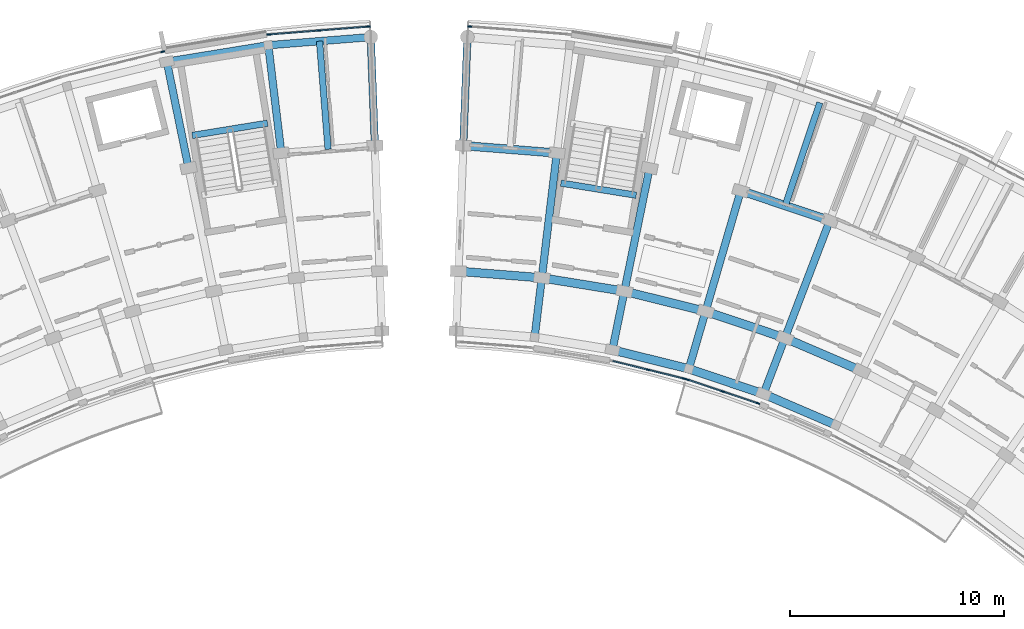
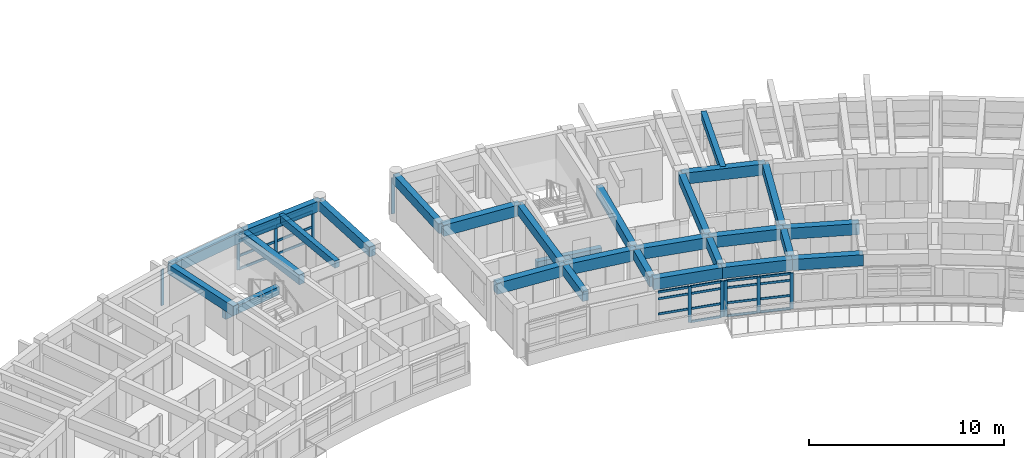
# One storey, part 7 of 54: 33 members, 28 beams, 5 elements without a shape of their own.
"""IFC4 building model written with IfcOpenShell, lengths in metres."""

from ifc_helpers import new_model, si_unit, direction, frame, origin, origin_2d, place, context, subcontext, project, spatial, rectangle, extrude, material, material_profile, profile_set, type_object, element, aggregate, save


model = new_model("IFC4")

# Units and contexts
model_context = context("Model", 3, precision=1e-05, world=origin(), true_north=direction((0.0, 1.0)))
body_context = subcontext(model_context, "Body", "Model", "MODEL_VIEW")
ifc_project = project(units=[si_unit("LENGTHUNIT", "METRE"), si_unit("AREAUNIT", "SQUARE_METRE"), si_unit("VOLUMEUNIT", "CUBIC_METRE"), si_unit("PLANEANGLEUNIT", "RADIAN"), si_unit("MASSUNIT", "GRAM", prefix="KILO")], contexts=[model_context])

# Site, building, storey
site_placement = place(None, origin())
site = spatial("IfcSite", under=ifc_project, at=site_placement, CompositionType="ELEMENT")
building_placement = place(site_placement, origin())
building = spatial("IfcBuilding", under=site, at=building_placement, Name="Zimvara Arc Housing Community", CompositionType="ELEMENT")
storey_placement = place(building_placement, frame((0.0, 0.0, 23.60009765625)))
storey = spatial("IfcBuildingStorey", under=building, at=storey_placement, Name="L07", CompositionType="ELEMENT", Elevation=23.60009765625)

# Beams
ifc_material_1 = material(Name="Concrete C40/50", Category="concrete")
ifc_material_profile_1 = material_profile(ifc_material_1, rectangle(XDim=0.300048828125, YDim=0.449951171875, at=origin_2d()), Name="RC 300x450")
ifc_profile_set_1 = profile_set([ifc_material_profile_1], Name="Concrete C40/50")
beam_type_1 = type_object("IfcBeamType", Name="BM-RC-300x450", PredefinedType="JOIST", material=ifc_profile_set_1)
for number, where, z_axis, x_axis, name in (
    (1, (40.7451171875, 98.08642578125, 2.635009765625), (-0.079171686291, 0.99686099537, 0.0), (-0.99686099537, -0.079171686291, 0.0), "bm:blkA:L07:joist:b9"),
    (2, (62.1279296875, 95.453369140625, 2.635009765625), (0.318607669836, 0.947886677152, 0.0), (-0.947886677152, 0.318607669836, 0.0), "bm:blkB:L07:joist:b3"),
):
    element("IfcBeam", number, at=place(storey_placement, frame(where, z_axis=z_axis, x_axis=x_axis)), inside=storey, type_object=beam_type_1, Name=name, PredefinedType="JOIST", context=body_context, shape_type="SweptSolid", body=[
        extrude(rectangle(XDim=0.300048828125, YDim=0.449951171875, at=origin_2d()), origin(), (0.0, 0.0, 1.0), 5.07568359375),
    ])
ifc_material_2 = material(Name="Concrete C40/50", Category="concrete")
ifc_material_profile_2 = material_profile(ifc_material_2, rectangle(XDim=0.300048828125, YDim=0.5, at=origin_2d()), Name="RC 300x500")
ifc_profile_set_2 = profile_set([ifc_material_profile_2], Name="Concrete C40/50")
beam_type_2 = type_object("IfcBeamType", Name="BM-RC-300x500", PredefinedType="BEAM", material=ifc_profile_set_2)
for number, where, z_axis, x_axis, name in (
    (3, (37.911865234375, 99.307373046875, 1.2998046875), (-0.987080057935, -0.160227835371, 0.0), (0.160227835371, -0.987080057935, 0.0), "bm:stair_trim:ST-A2:L07:mid"),
    (4, (55.15771484375, 95.93701171875, -0.25), (-0.987080057935, 0.160227835371, 0.0), (-0.160227835371, -0.987080057935, 0.0), "bm:stair_trim:ST-B1:L07:near"),
):
    element("IfcBeam", number, at=place(storey_placement, frame(where, z_axis=z_axis, x_axis=x_axis)), inside=storey, type_object=beam_type_2, Name=name, PredefinedType="BEAM", context=body_context, shape_type="SweptSolid", body=[
        extrude(rectangle(XDim=0.300048828125, YDim=0.5, at=origin_2d()), origin(), (0.0, 0.0, 1.0), 3.570068359375),
    ])
ifc_material_3 = material(Name="Concrete C40/50", Category="concrete")
ifc_material_profile_3 = material_profile(ifc_material_3, rectangle(XDim=0.35009765625, YDim=0.60009765625, at=origin_2d()), Name="RC 350x600")
ifc_profile_set_3 = profile_set([ifc_material_profile_3], Name="Concrete C40/50")
beam_type_3 = type_object("IfcBeamType", Name="BM-RC-350x600", PredefinedType="BEAM", material=ifc_profile_set_3)
beam_1_placement = place(storey_placement, frame((34.21875, 97.208740234375, 2.559814453125), z_axis=(-0.200411962389, 0.97971171542, 0.0), x_axis=(-0.97971171542, -0.200411962389, 0.0)))
element("IfcBeam", 5, at=beam_1_placement, inside=storey, type_object=beam_type_3, Name="bm:blkA:L07:rad:b8:r23", PredefinedType="BEAM", context=body_context, shape_type="SweptSolid", body=[
    extrude(rectangle(XDim=0.35009765625, YDim=0.60009765625, at=origin_2d()), origin(), (0.0, 0.0, 1.0), 5.079833984375),
])
for number, where, z_axis, x_axis, name in (
    (6, (38.55517578125, 97.91259765625, 2.559814453125), (-0.119762990499, 0.99280251113, 0.0), (-0.99280251113, -0.119762990499, 0.0), "bm:blkA:L07:rad:b9:r23"),
    (7, (42.934814453125, 98.26025390625, 2.559814453125), (-0.038398054907, 0.999262522753, 0.0), (-0.999262522753, -0.038398054907, 0.0), "bm:blkA:L07:rad:b10:r23"),
    (8, (47.065185546875, 98.26025390625, 2.559814453125), (0.038398054907, 0.999262522753, 0.0), (-0.999262522753, 0.038398054907, 0.0), "bm:blkB:L07:rad:b0:r23"),
):
    element("IfcBeam", number, at=place(storey_placement, frame(where, z_axis=z_axis, x_axis=x_axis)), inside=storey, type_object=beam_type_3, Name=name, PredefinedType="BEAM", context=body_context, shape_type="SweptSolid", body=[
        extrude(rectangle(XDim=0.35009765625, YDim=0.60009765625, at=origin_2d()), origin(), (0.0, 0.0, 1.0), 5.080078125),
    ])
beam_2_placement = place(storey_placement, frame((50.405029296875, 89.295166015625, 2.559814453125), z_axis=(0.119719398078, 0.992807768767, 0.0), x_axis=(-0.992807768767, 0.119719398078, 0.0)))
element("IfcBeam", 9, at=beam_2_placement, inside=storey, type_object=beam_type_3, Name="bm:blkB:L07:rad:b1:r01", PredefinedType="BEAM", context=body_context, shape_type="SweptSolid", body=[
    extrude(rectangle(XDim=0.35009765625, YDim=0.60009765625, at=origin_2d()), origin(), (0.0, 0.0, 1.0), 2.7998046875),
])
beam_3_placement = place(storey_placement, frame((50.740234375, 92.074951171875, 2.559814453125), z_axis=(0.119827921695, 0.992794676246, 0.0), x_axis=(-0.992794676246, 0.119827921695, 0.0)))
element("IfcBeam", 10, at=beam_3_placement, inside=storey, type_object=beam_type_3, Name="bm:blkB:L07:rad:b1:r12", PredefinedType="BEAM", context=body_context, shape_type="SweptSolid", body=[
    extrude(rectangle(XDim=0.35009765625, YDim=0.60009765625, at=origin_2d()), origin(), (0.0, 0.0, 1.0), 5.880126953125),
])
beam_4_placement = place(storey_placement, frame((54.041748046875, 88.704833984375, 2.559814453125), z_axis=(0.20037341071, 0.979719600845, 0.0), x_axis=(-0.979719600845, 0.20037341071, 0.0)))
element("IfcBeam", 11, at=beam_4_placement, inside=storey, type_object=beam_type_3, Name="bm:blkB:L07:rad:b2:r01", PredefinedType="BEAM", context=body_context, shape_type="SweptSolid", body=[
    extrude(rectangle(XDim=0.35009765625, YDim=0.60009765625, at=origin_2d()), origin(), (0.0, 0.0, 1.0), 2.800048828125),
])
beam_5_placement = place(storey_placement, frame((54.602783203125, 91.447998046875, 2.559814453125), z_axis=(0.200417973989, 0.979710485655, 0.0), x_axis=(-0.979710485655, 0.200417973989, 0.0)))
element("IfcBeam", 12, at=beam_5_placement, inside=storey, type_object=beam_type_3, Name="bm:blkB:L07:rad:b2:r12", PredefinedType="BEAM", context=body_context, shape_type="SweptSolid", body=[
    extrude(rectangle(XDim=0.35009765625, YDim=0.60009765625, at=origin_2d()), origin(), (0.0, 0.0, 1.0), 5.880126953125),
])
beam_6_placement = place(storey_placement, frame((57.618408203125, 87.819580078125, 2.559814453125), z_axis=(0.279635015525, 0.960106378529, 0.0), x_axis=(-0.960106378529, 0.279635015525, 0.0)))
element("IfcBeam", 13, at=beam_6_placement, inside=storey, type_object=beam_type_3, Name="bm:blkB:L07:rad:b3:r01", PredefinedType="BEAM", context=body_context, shape_type="SweptSolid", body=[
    extrude(rectangle(XDim=0.35009765625, YDim=0.60009765625, at=origin_2d()), origin(), (0.0, 0.0, 1.0), 2.800048828125),
])
beam_7_placement = place(storey_placement, frame((58.4013671875, 90.5078125, 2.559814453125), z_axis=(0.27967473749, 0.960094808449, 0.0), x_axis=(-0.960094808449, 0.27967473749, 0.0)))
element("IfcBeam", 14, at=beam_7_placement, inside=storey, type_object=beam_type_3, Name="bm:blkB:L07:rad:b3:r12", PredefinedType="BEAM", context=body_context, shape_type="SweptSolid", body=[
    extrude(rectangle(XDim=0.35009765625, YDim=0.60009765625, at=origin_2d()), origin(), (0.0, 0.0, 1.0), 5.880126953125),
])
beam_8_placement = place(storey_placement, frame((61.11083984375, 86.645751953125, 2.559814453125), z_axis=(0.357079289134, 0.934074076972, 0.0), x_axis=(-0.934074076972, 0.357079289134, 0.0)))
element("IfcBeam", 15, at=beam_8_placement, inside=storey, type_object=beam_type_3, Name="bm:blkB:L07:rad:b4:r01", PredefinedType="BEAM", context=body_context, shape_type="SweptSolid", body=[
    extrude(rectangle(XDim=0.35009765625, YDim=0.60009765625, at=origin_2d()), origin(), (0.0, 0.0, 1.0), 2.7998046875),
])
beam_9_placement = place(storey_placement, frame((62.110595703125, 89.260986328125, 2.559814453125), z_axis=(0.357036247742, 0.934090529766, 0.0), x_axis=(-0.934090529766, 0.357036247742, 0.0)))
element("IfcBeam", 16, at=beam_9_placement, inside=storey, type_object=beam_type_3, Name="bm:blkB:L07:rad:b4:r12", PredefinedType="BEAM", context=body_context, shape_type="SweptSolid", body=[
    extrude(rectangle(XDim=0.35009765625, YDim=0.60009765625, at=origin_2d()), origin(), (0.0, 0.0, 1.0), 5.8798828125),
])
ifc_material_4 = material(Name="Concrete C40/50", Category="concrete")
ifc_material_profile_4 = material_profile(ifc_material_4, rectangle(XDim=0.35009765625, YDim=0.64990234375, at=origin_2d()), Name="RC 350x650")
ifc_profile_set_4 = profile_set([ifc_material_profile_4], Name="Concrete C40/50")
beam_type_4 = type_object("IfcBeamType", Name="BM-RC-350x650", PredefinedType="BEAM", material=ifc_profile_set_4)
beam_10_placement = place(storey_placement, frame((33.20068359375, 102.185546875, 2.534912109375), z_axis=(0.987076839731, 0.160247659784, 0.0), x_axis=(-0.160247659784, 0.987076839731, 0.0)))
element("IfcBeam", 17, at=beam_10_placement, inside=storey, type_object=beam_type_4, Name="bm:blkA:L07:chord:r3:b8", PredefinedType="BEAM", context=body_context, shape_type="SweptSolid", body=[
    extrude(rectangle(XDim=0.35009765625, YDim=0.64990234375, at=origin_2d()), origin(), (0.0, 0.0, 1.0), 4.808349609375),
])
beam_11_placement = place(storey_placement, frame((37.94677734375, 102.9560546875, 2.534912109375), z_axis=(0.996861768207, 0.0791619548, 0.0), x_axis=(-0.0791619548, 0.996861768207, 0.0)))
element("IfcBeam", 18, at=beam_11_placement, inside=storey, type_object=beam_type_4, Name="bm:blkA:L07:chord:r3:b9", PredefinedType="BEAM", context=body_context, shape_type="SweptSolid", body=[
    extrude(rectangle(XDim=0.35009765625, YDim=0.64990234375, at=origin_2d()), origin(), (0.0, 0.0, 1.0), 4.80810546875),
])
ifc_material_5 = material(Name="Concrete C40/50", Category="concrete")
ifc_material_profile_5 = material_profile(ifc_material_5, rectangle(XDim=0.39990234375, YDim=0.699951171875, at=origin_2d()), Name="RC 400x700")
ifc_profile_set_5 = profile_set([ifc_material_profile_5], Name="Concrete C40/50")
beam_type_5 = type_object("IfcBeamType", Name="BM-RC-400x700", PredefinedType="BEAM", material=ifc_profile_set_5)
beam_12_placement = place(storey_placement, frame((54.041748046875, 88.704833984375, 2.510009765625), z_axis=(0.970708886215, -0.240258731837, 0.0), x_axis=(0.240258731837, 0.970708886215, 0.0)))
element("IfcBeam", 19, at=beam_12_placement, inside=storey, type_object=beam_type_5, Name="bm:blkB:L07:chord:r0:b2", PredefinedType="BEAM", context=body_context, shape_type="SweptSolid", body=[
    extrude(rectangle(XDim=0.39990234375, YDim=0.699951171875, at=origin_2d()), origin(), (0.0, 0.0, 1.0), 3.6845703125),
])
for number, where, z_axis, x_axis, name in (
    (20, (57.618408203125, 87.819580078125, 2.510009765625), (0.94789181932, -0.31859237101, 0.0), (0.31859237101, 0.94789181932, 0.0), "bm:blkB:L07:chord:r0:b3"),
    (21, (61.11083984375, 86.645751953125, 2.510009765625), (0.918705736243, -0.394942742932, 0.0), (0.394942742932, 0.918705736243, 0.0), "bm:blkB:L07:chord:r0:b4"),
):
    element("IfcBeam", number, at=place(storey_placement, frame(where, z_axis=z_axis, x_axis=x_axis)), inside=storey, type_object=beam_type_5, Name=name, PredefinedType="BEAM", context=body_context, shape_type="SweptSolid", body=[
        extrude(rectangle(XDim=0.39990234375, YDim=0.699951171875, at=origin_2d()), origin(), (0.0, 0.0, 1.0), 3.684326171875),
    ])
beam_13_placement = place(storey_placement, frame((46.839599609375, 92.384765625, 2.510009765625), z_axis=(0.99686054795, -0.079177319606, 0.0), x_axis=(0.079177319606, 0.99686054795, 0.0)))
element("IfcBeam", 22, at=beam_13_placement, inside=storey, type_object=beam_type_5, Name="bm:blkB:L07:chord:r1:b0", PredefinedType="BEAM", context=body_context, shape_type="SweptSolid", body=[
    extrude(rectangle(XDim=0.39990234375, YDim=0.699951171875, at=origin_2d()), origin(), (0.0, 0.0, 1.0), 3.912841796875),
])
for number, where, z_axis, x_axis, name in (
    (23, (50.740234375, 92.074951171875, 2.510009765625), (0.987081487371, -0.160219029111, 0.0), (0.160219029111, 0.987081487371, 0.0), "bm:blkB:L07:chord:r1:b1"),
    (24, (54.602783203125, 91.447998046875, 2.510009765625), (0.970708671682, -0.240259598602, 0.0), (0.240259598602, 0.970708671682, 0.0), "bm:blkB:L07:chord:r1:b2"),
    (25, (58.4013671875, 90.5078125, 2.510009765625), (0.947881689069, -0.31862250945, 0.0), (0.31862250945, 0.947881689069, 0.0), "bm:blkB:L07:chord:r1:b3"),
    (26, (62.110595703125, 89.260986328125, 2.510009765625), (0.91873144242, -0.394882940514, 0.0), (0.394882940514, 0.91873144242, 0.0), "bm:blkB:L07:chord:r1:b4"),
):
    element("IfcBeam", number, at=place(storey_placement, frame(where, z_axis=z_axis, x_axis=x_axis)), inside=storey, type_object=beam_type_5, Name=name, PredefinedType="BEAM", context=body_context, shape_type="SweptSolid", body=[
        extrude(rectangle(XDim=0.39990234375, YDim=0.699951171875, at=origin_2d()), origin(), (0.0, 0.0, 1.0), 3.9130859375),
    ])
beam_14_placement = place(storey_placement, frame((47.065185546875, 98.26025390625, 2.510009765625), z_axis=(0.996864209836, -0.079131202119, 0.0), x_axis=(0.079131202119, 0.996864209836, 0.0)))
element("IfcBeam", 27, at=beam_14_placement, inside=storey, type_object=beam_type_5, Name="bm:blkB:L07:chord:r2:b0", PredefinedType="BEAM", context=body_context, shape_type="SweptSolid", body=[
    extrude(rectangle(XDim=0.39990234375, YDim=0.699951171875, at=origin_2d()), origin(), (0.0, 0.0, 1.0), 4.393310546875),
])
beam_15_placement = place(storey_placement, frame((60.0458984375, 96.1533203125, 2.510009765625), z_axis=(0.947868796036, -0.318660862832, 0.0), x_axis=(0.318660862832, 0.947868796036, 0.0)))
element("IfcBeam", 28, at=beam_15_placement, inside=storey, type_object=beam_type_5, Name="bm:blkB:L07:chord:r2:b3", PredefinedType="BEAM", context=body_context, shape_type="SweptSolid", body=[
    extrude(rectangle(XDim=0.39990234375, YDim=0.699951171875, at=origin_2d()), origin(), (0.0, 0.0, 1.0), 4.39306640625),
])

# Curtain wall, members
ifc_material_6 = material(Name="Anodised Aluminium AW-6063", Category="aluminium")
curtain_wall_type_1 = type_object("IfcCurtainWallType", Name="CW-SYS-02", PredefinedType="USERDEFINED", material=ifc_material_6)
curtain_wall_1_placement = place(storey_placement, origin())
curtain_wall_1 = element("IfcCurtainWall", 29, at=curtain_wall_1_placement, inside=storey, type_object=curtain_wall_type_1, Name="cw:blkB:L07:in:b2", ObjectType="CURTAIN WALL", PredefinedType="USERDEFINED")
ifc_material_7 = material(Name="Anodised Aluminium AW-6063", Category="aluminium")
ifc_material_profile_6 = material_profile(ifc_material_7, rectangle(XDim=0.06494140625, YDim=0.179931640625, at=origin_2d()), Name="ALU 65x180")
ifc_profile_set_6 = profile_set([ifc_material_profile_6], Name="Anodised Aluminium AW-6063")
member_type_1 = type_object("IfcMemberType", Name="CWM-65x150", PredefinedType="MULLION", material=ifc_profile_set_6)
member_1_placement = place(storey_placement, frame((55.7099609375, 87.77734375, 0.0), z_axis=(0.0, 0.0, 1.0), x_axis=(0.240227815706, 0.970716537698, 0.0)))
member_1 = element("IfcMember", 30, at=member_1_placement, type_object=member_type_1, Name="CW02 mullion 2", PredefinedType="MULLION", context=body_context, shape_type="SweptSolid", body=[
    extrude(rectangle(XDim=0.06494140625, YDim=0.179931640625, at=origin_2d()), origin(), (0.0, 0.0, 1.0), 2.25),
])
member_2_placement = place(storey_placement, frame((57.388671875, 87.36181640625, 0.0), z_axis=(0.0, 0.0, 1.0), x_axis=(0.240227815706, 0.970716537698, 0.0)))
member_2 = element("IfcMember", 31, at=member_2_placement, type_object=member_type_1, Name="CW02 mullion 3", PredefinedType="MULLION", context=body_context, shape_type="SweptSolid", body=[
    extrude(rectangle(XDim=0.06494140625, YDim=0.179931640625, at=origin_2d()), origin(), (0.0, 0.0, 1.0), 2.25),
])

ifc_material_8 = material(Name="Anodised Aluminium AW-6063", Category="aluminium")
curtain_wall_type_2 = type_object("IfcCurtainWallType", Name="CW-SYS-04", PredefinedType="USERDEFINED", material=ifc_material_8)
curtain_wall_2_placement = place(storey_placement, origin())
curtain_wall_2 = element("IfcCurtainWall", 32, at=curtain_wall_2_placement, inside=storey, type_object=curtain_wall_type_2, Name="cw:blkB:L07:in:b3", ObjectType="CURTAIN WALL", PredefinedType="USERDEFINED")
member_3_placement = place(storey_placement, frame((57.566162109375, 87.31005859375, 0.0), z_axis=(0.0, 0.0, 1.0), x_axis=(0.318630249383, 0.94787908732, 0.0)))
member_3 = element("IfcMember", 33, at=member_3_placement, type_object=member_type_1, Name="CW04 mullion 1", PredefinedType="MULLION", context=body_context, shape_type="SweptSolid", body=[
    extrude(rectangle(XDim=0.06494140625, YDim=0.179931640625, at=origin_2d()), origin(), (0.0, 0.0, 1.0), 2.25),
])
member_4_placement = place(storey_placement, frame((59.205322265625, 86.759033203125, 0.0), z_axis=(0.0, 0.0, 1.0), x_axis=(0.318630249383, 0.94787908732, 0.0)))
member_4 = element("IfcMember", 34, at=member_4_placement, type_object=member_type_1, Name="CW04 mullion 2", PredefinedType="MULLION", context=body_context, shape_type="SweptSolid", body=[
    extrude(rectangle(XDim=0.06494140625, YDim=0.179931640625, at=origin_2d()), origin(), (0.0, 0.0, 1.0), 2.25),
])
member_5_placement = place(storey_placement, frame((60.844482421875, 86.2080078125, 0.0), z_axis=(0.0, 0.0, 1.0), x_axis=(0.318630249383, 0.94787908732, 0.0)))
member_5 = element("IfcMember", 35, at=member_5_placement, type_object=member_type_1, Name="CW04 mullion 3", PredefinedType="MULLION", context=body_context, shape_type="SweptSolid", body=[
    extrude(rectangle(XDim=0.06494140625, YDim=0.179931640625, at=origin_2d()), origin(), (0.0, 0.0, 1.0), 2.25),
])

# Curtain wall, member
ifc_material_9 = material(Name="Anodised Aluminium AW-6063", Category="aluminium")
curtain_wall_type_3 = type_object("IfcCurtainWallType", Name="CW-SYS-01", PredefinedType="USERDEFINED", material=ifc_material_9)
curtain_wall_3_placement = place(storey_placement, origin())
curtain_wall_3 = element("IfcCurtainWall", 36, at=curtain_wall_3_placement, inside=storey, type_object=curtain_wall_type_3, Name="cw:blkA:L07:out:b7", ObjectType="CURTAIN WALL", PredefinedType="USERDEFINED")
ifc_material_10 = material(Name="Anodised Aluminium AW-6063", Category="aluminium")
ifc_material_profile_7 = material_profile(ifc_material_10, rectangle(XDim=0.06494140625, YDim=0.195068359375, at=origin_2d()), Name="ALU 65x195")
ifc_profile_set_7 = profile_set([ifc_material_profile_7], Name="Anodised Aluminium AW-6063")
member_type_2 = type_object("IfcMemberType", Name="CWM-65x180", PredefinedType="MULLION", material=ifc_profile_set_7)
member_6_placement = place(storey_placement, frame((33.0107421875, 102.6533203125, 0.0), z_axis=(0.0, 0.0, 1.0), x_axis=(-0.240229711131, 0.970716068627, 0.0)))
member_6 = element("IfcMember", 37, at=member_6_placement, type_object=member_type_2, Name="CW01 mullion 3", PredefinedType="MULLION", context=body_context, shape_type="SweptSolid", body=[
    extrude(rectangle(XDim=0.06494140625, YDim=0.195068359375, at=origin_2d()), origin(), (0.0, 0.0, 1.0), 2.25),
])
aggregate(curtain_wall_3, [member_6])

# Curtain wall, members
ifc_material_11 = material(Name="Anodised Aluminium AW-6063", Category="aluminium")
curtain_wall_type_4 = type_object("IfcCurtainWallType", Name="CW-SYS-03", PredefinedType="USERDEFINED", material=ifc_material_11)
curtain_wall_4_placement = place(storey_placement, origin())
curtain_wall_4 = element("IfcCurtainWall", 38, at=curtain_wall_4_placement, inside=storey, type_object=curtain_wall_type_4, Name="cw:blkA:L07:out:b9", ObjectType="CURTAIN WALL", PredefinedType="USERDEFINED")
member_7_placement = place(storey_placement, frame((37.97900390625, 103.459716796875, 0.0), z_axis=(0.0, 0.0, 1.0), x_axis=(-0.079153759607, 0.996862418963, 0.0)))
member_7 = element("IfcMember", 39, at=member_7_placement, type_object=member_type_2, Name="CW03 mullion 1", PredefinedType="MULLION", context=body_context, shape_type="SweptSolid", body=[
    extrude(rectangle(XDim=0.06494140625, YDim=0.195068359375, at=origin_2d()), origin(), (0.0, 0.0, 1.0), 2.25),
])
member_8_placement = place(storey_placement, frame((40.3037109375, 103.644287109375, 0.0), z_axis=(0.0, 0.0, 1.0), x_axis=(-0.079153759607, 0.996862418963, 0.0)))
member_8 = element("IfcMember", 40, at=member_8_placement, type_object=member_type_2, Name="CW03 mullion 2", PredefinedType="MULLION", context=body_context, shape_type="SweptSolid", body=[
    extrude(rectangle(XDim=0.06494140625, YDim=0.195068359375, at=origin_2d()), origin(), (0.0, 0.0, 1.0), 2.25),
])
member_9_placement = place(storey_placement, frame((42.62841796875, 103.828857421875, 0.0), z_axis=(0.0, 0.0, 1.0), x_axis=(-0.079153759607, 0.996862418963, 0.0)))
member_9 = element("IfcMember", 41, at=member_9_placement, type_object=member_type_2, Name="CW03 mullion 3", PredefinedType="MULLION", context=body_context, shape_type="SweptSolid", body=[
    extrude(rectangle(XDim=0.06494140625, YDim=0.195068359375, at=origin_2d()), origin(), (0.0, 0.0, 1.0), 2.25),
])

# Curtain wall, member
ifc_material_12 = material(Name="Anodised Aluminium AW-6063", Category="aluminium")
curtain_wall_type_5 = type_object("IfcCurtainWallType", Name="CW-SYS-07", PredefinedType="USERDEFINED", material=ifc_material_12)
curtain_wall_5_placement = place(storey_placement, origin())
curtain_wall_5 = element("IfcCurtainWall", 42, at=curtain_wall_5_placement, inside=storey, type_object=curtain_wall_type_5, Name="cw:blkB:L07:out:b0", ObjectType="CURTAIN WALL", PredefinedType="USERDEFINED")
member_10_placement = place(storey_placement, frame((47.37158203125, 103.828857421875, 0.0), z_axis=(0.0, 0.0, 1.0), x_axis=(0.079153759607, 0.996862418963, 0.0)))
member_10 = element("IfcMember", 43, at=member_10_placement, type_object=member_type_2, Name="CW07 mullion 1", PredefinedType="MULLION", context=body_context, shape_type="SweptSolid", body=[
    extrude(rectangle(XDim=0.06494140625, YDim=0.195068359375, at=origin_2d()), origin(), (0.0, 0.0, 1.0), 2.25),
])
aggregate(curtain_wall_5, [member_10])

# Member
ifc_material_13 = material(Name="Anodised Aluminium AW-6063", Category="aluminium")
ifc_material_profile_8 = material_profile(ifc_material_13, rectangle(XDim=0.06494140625, YDim=0.139892578125, at=origin_2d()), Name="ALU 65x140")
ifc_profile_set_8 = profile_set([ifc_material_profile_8], Name="Anodised Aluminium AW-6063")
member_type_3 = type_object("IfcMemberType", Name="CWT-65x120", PredefinedType="USERDEFINED", material=ifc_profile_set_8)
member_11_placement = place(storey_placement, frame((54.06298828125, 88.184814453125, 0.849853515625), z_axis=(0.970735018799, -0.240153124645, 0.0), x_axis=(0.240153124645, 0.970735018799, 0.0)))
member_11 = element("IfcMember", 44, at=member_11_placement, type_object=member_type_3, Name="CW02 transom 1.2", ObjectType="TRANSOM", PredefinedType="USERDEFINED", context=body_context, shape_type="SweptSolid", body=[
    extrude(rectangle(XDim=0.06494140625, YDim=0.139892578125, at=origin_2d()), origin(), (0.0, 0.0, 1.0), 1.6640625),
])

member_12_placement = place(storey_placement, frame((54.06298828125, 88.184814453125, 1.7998046875), z_axis=(0.970735018799, -0.240153124645, 0.0), x_axis=(0.240153124645, 0.970735018799, 0.0)))
member_12 = element("IfcMember", 45, at=member_12_placement, type_object=member_type_3, Name="CW02 transom 1.3", ObjectType="TRANSOM", PredefinedType="USERDEFINED", context=body_context, shape_type="SweptSolid", body=[
    extrude(rectangle(XDim=0.06494140625, YDim=0.139892578125, at=origin_2d()), origin(), (0.0, 0.0, 1.0), 1.6640625),
])

member_13_placement = place(storey_placement, frame((54.06298828125, 88.184814453125, 2.21728515625), z_axis=(0.970735018799, -0.240153124645, 0.0), x_axis=(0.240153124645, 0.970735018799, 0.0)))
member_13 = element("IfcMember", 46, at=member_13_placement, type_object=member_type_3, Name="CW02 transom 1.4", ObjectType="TRANSOM", PredefinedType="USERDEFINED", context=body_context, shape_type="SweptSolid", body=[
    extrude(rectangle(XDim=0.06494140625, YDim=0.139892578125, at=origin_2d()), origin(), (0.0, 0.0, 1.0), 1.6640625),
])

member_14_placement = place(storey_placement, frame((55.74169921875, 87.76953125, 0.032470703125), z_axis=(0.970700809973, -0.24029135964, 0.0), x_axis=(0.24029135964, 0.970700809973, 0.0)))
member_14 = element("IfcMember", 47, at=member_14_placement, type_object=member_type_3, Name="CW02 transom 2.1", ObjectType="TRANSOM", PredefinedType="USERDEFINED", context=body_context, shape_type="SweptSolid", body=[
    extrude(rectangle(XDim=0.06494140625, YDim=0.139892578125, at=origin_2d()), origin(), (0.0, 0.0, 1.0), 1.664306640625),
])

member_15_placement = place(storey_placement, frame((55.74169921875, 87.76953125, 0.849853515625), z_axis=(0.970700809973, -0.24029135964, 0.0), x_axis=(0.24029135964, 0.970700809973, 0.0)))
member_15 = element("IfcMember", 48, at=member_15_placement, type_object=member_type_3, Name="CW02 transom 2.2", ObjectType="TRANSOM", PredefinedType="USERDEFINED", context=body_context, shape_type="SweptSolid", body=[
    extrude(rectangle(XDim=0.06494140625, YDim=0.139892578125, at=origin_2d()), origin(), (0.0, 0.0, 1.0), 1.664306640625),
])

member_16_placement = place(storey_placement, frame((55.74169921875, 87.76953125, 1.7998046875), z_axis=(0.970700809973, -0.24029135964, 0.0), x_axis=(0.24029135964, 0.970700809973, 0.0)))
member_16 = element("IfcMember", 49, at=member_16_placement, type_object=member_type_3, Name="CW02 transom 2.3", ObjectType="TRANSOM", PredefinedType="USERDEFINED", context=body_context, shape_type="SweptSolid", body=[
    extrude(rectangle(XDim=0.06494140625, YDim=0.139892578125, at=origin_2d()), origin(), (0.0, 0.0, 1.0), 1.664306640625),
])

member_17_placement = place(storey_placement, frame((55.74169921875, 87.76953125, 2.21728515625), z_axis=(0.970700809973, -0.24029135964, 0.0), x_axis=(0.24029135964, 0.970700809973, 0.0)))
member_17 = element("IfcMember", 50, at=member_17_placement, type_object=member_type_3, Name="CW02 transom 2.4", ObjectType="TRANSOM", PredefinedType="USERDEFINED", context=body_context, shape_type="SweptSolid", body=[
    extrude(rectangle(XDim=0.06494140625, YDim=0.139892578125, at=origin_2d()), origin(), (0.0, 0.0, 1.0), 1.664306640625),
])

aggregate(curtain_wall_1, [member_1, member_2, member_11, member_12, member_13, member_14, member_15, member_16, member_17])

member_18_placement = place(storey_placement, frame((57.596923828125, 87.2998046875, 0.032470703125), z_axis=(0.947888214723, -0.318603095385, 0.0), x_axis=(0.318603095385, 0.947888214723, 0.0)))
member_18 = element("IfcMember", 51, at=member_18_placement, type_object=member_type_3, Name="CW04 transom 1.1", ObjectType="TRANSOM", PredefinedType="USERDEFINED", context=body_context, shape_type="SweptSolid", body=[
    extrude(rectangle(XDim=0.06494140625, YDim=0.139892578125, at=origin_2d()), origin(), (0.0, 0.0, 1.0), 1.664306640625),
])

member_19_placement = place(storey_placement, frame((57.596923828125, 87.2998046875, 0.849853515625), z_axis=(0.947888214723, -0.318603095385, 0.0), x_axis=(0.318603095385, 0.947888214723, 0.0)))
member_19 = element("IfcMember", 52, at=member_19_placement, type_object=member_type_3, Name="CW04 transom 1.2", ObjectType="TRANSOM", PredefinedType="USERDEFINED", context=body_context, shape_type="SweptSolid", body=[
    extrude(rectangle(XDim=0.06494140625, YDim=0.139892578125, at=origin_2d()), origin(), (0.0, 0.0, 1.0), 1.664306640625),
])

member_20_placement = place(storey_placement, frame((57.596923828125, 87.2998046875, 1.7998046875), z_axis=(0.947888214723, -0.318603095385, 0.0), x_axis=(0.318603095385, 0.947888214723, 0.0)))
member_20 = element("IfcMember", 53, at=member_20_placement, type_object=member_type_3, Name="CW04 transom 1.3", ObjectType="TRANSOM", PredefinedType="USERDEFINED", context=body_context, shape_type="SweptSolid", body=[
    extrude(rectangle(XDim=0.06494140625, YDim=0.139892578125, at=origin_2d()), origin(), (0.0, 0.0, 1.0), 1.664306640625),
])

member_21_placement = place(storey_placement, frame((57.596923828125, 87.2998046875, 2.21728515625), z_axis=(0.947888214723, -0.318603095385, 0.0), x_axis=(0.318603095385, 0.947888214723, 0.0)))
member_21 = element("IfcMember", 54, at=member_21_placement, type_object=member_type_3, Name="CW04 transom 1.4", ObjectType="TRANSOM", PredefinedType="USERDEFINED", context=body_context, shape_type="SweptSolid", body=[
    extrude(rectangle(XDim=0.06494140625, YDim=0.139892578125, at=origin_2d()), origin(), (0.0, 0.0, 1.0), 1.664306640625),
])

member_22_placement = place(storey_placement, frame((59.236083984375, 86.748779296875, 0.032470703125), z_axis=(0.947888214723, -0.318603095385, 0.0), x_axis=(0.318603095385, 0.947888214723, 0.0)))
member_22 = element("IfcMember", 55, at=member_22_placement, type_object=member_type_3, Name="CW04 transom 2.1", ObjectType="TRANSOM", PredefinedType="USERDEFINED", context=body_context, shape_type="SweptSolid", body=[
    extrude(rectangle(XDim=0.06494140625, YDim=0.139892578125, at=origin_2d()), origin(), (0.0, 0.0, 1.0), 1.664306640625),
])

member_23_placement = place(storey_placement, frame((59.236083984375, 86.748779296875, 0.849853515625), z_axis=(0.947888214723, -0.318603095385, 0.0), x_axis=(0.318603095385, 0.947888214723, 0.0)))
member_23 = element("IfcMember", 56, at=member_23_placement, type_object=member_type_3, Name="CW04 transom 2.2", ObjectType="TRANSOM", PredefinedType="USERDEFINED", context=body_context, shape_type="SweptSolid", body=[
    extrude(rectangle(XDim=0.06494140625, YDim=0.139892578125, at=origin_2d()), origin(), (0.0, 0.0, 1.0), 1.664306640625),
])

member_24_placement = place(storey_placement, frame((59.236083984375, 86.748779296875, 1.7998046875), z_axis=(0.947888214723, -0.318603095385, 0.0), x_axis=(0.318603095385, 0.947888214723, 0.0)))
member_24 = element("IfcMember", 57, at=member_24_placement, type_object=member_type_3, Name="CW04 transom 2.3", ObjectType="TRANSOM", PredefinedType="USERDEFINED", context=body_context, shape_type="SweptSolid", body=[
    extrude(rectangle(XDim=0.06494140625, YDim=0.139892578125, at=origin_2d()), origin(), (0.0, 0.0, 1.0), 1.664306640625),
])

member_25_placement = place(storey_placement, frame((59.236083984375, 86.748779296875, 2.21728515625), z_axis=(0.947888214723, -0.318603095385, 0.0), x_axis=(0.318603095385, 0.947888214723, 0.0)))
member_25 = element("IfcMember", 58, at=member_25_placement, type_object=member_type_3, Name="CW04 transom 2.4", ObjectType="TRANSOM", PredefinedType="USERDEFINED", context=body_context, shape_type="SweptSolid", body=[
    extrude(rectangle(XDim=0.06494140625, YDim=0.139892578125, at=origin_2d()), origin(), (0.0, 0.0, 1.0), 1.664306640625),
])

aggregate(curtain_wall_2, [member_3, member_4, member_5, member_18, member_19, member_20, member_21, member_22, member_23, member_24, member_25])

ifc_material_14 = material(Name="Anodised Aluminium AW-6063", Category="aluminium")
ifc_material_profile_9 = material_profile(ifc_material_14, rectangle(XDim=0.06494140625, YDim=0.155029296875, at=origin_2d()), Name="ALU 65x155")
ifc_profile_set_9 = profile_set([ifc_material_profile_9], Name="Anodised Aluminium AW-6063")
member_type_4 = type_object("IfcMemberType", Name="CWT-65x140", PredefinedType="USERDEFINED", material=ifc_profile_set_9)
member_26_placement = place(storey_placement, frame((38.011474609375, 103.46240234375, 0.032470703125), z_axis=(0.996862021022, 0.079158771116, 0.0), x_axis=(-0.079158771116, 0.996862021022, 0.0)))
member_26 = element("IfcMember", 59, at=member_26_placement, type_object=member_type_4, Name="CW03 transom 1.1", ObjectType="TRANSOM", PredefinedType="USERDEFINED", context=body_context, shape_type="SweptSolid", body=[
    extrude(rectangle(XDim=0.06494140625, YDim=0.155029296875, at=origin_2d()), origin(), (0.0, 0.0, 1.0), 2.266845703125),
])

member_27_placement = place(storey_placement, frame((38.011474609375, 103.46240234375, 0.849853515625), z_axis=(0.996862021022, 0.079158771116, 0.0), x_axis=(-0.079158771116, 0.996862021022, 0.0)))
member_27 = element("IfcMember", 60, at=member_27_placement, type_object=member_type_4, Name="CW03 transom 1.2", ObjectType="TRANSOM", PredefinedType="USERDEFINED", context=body_context, shape_type="SweptSolid", body=[
    extrude(rectangle(XDim=0.06494140625, YDim=0.155029296875, at=origin_2d()), origin(), (0.0, 0.0, 1.0), 2.266845703125),
])

member_28_placement = place(storey_placement, frame((38.011474609375, 103.46240234375, 1.7998046875), z_axis=(0.996862021022, 0.079158771116, 0.0), x_axis=(-0.079158771116, 0.996862021022, 0.0)))
member_28 = element("IfcMember", 61, at=member_28_placement, type_object=member_type_4, Name="CW03 transom 1.3", ObjectType="TRANSOM", PredefinedType="USERDEFINED", context=body_context, shape_type="SweptSolid", body=[
    extrude(rectangle(XDim=0.06494140625, YDim=0.155029296875, at=origin_2d()), origin(), (0.0, 0.0, 1.0), 2.266845703125),
])

member_29_placement = place(storey_placement, frame((38.011474609375, 103.46240234375, 2.21728515625), z_axis=(0.996862021022, 0.079158771116, 0.0), x_axis=(-0.079158771116, 0.996862021022, 0.0)))
member_29 = element("IfcMember", 62, at=member_29_placement, type_object=member_type_4, Name="CW03 transom 1.4", ObjectType="TRANSOM", PredefinedType="USERDEFINED", context=body_context, shape_type="SweptSolid", body=[
    extrude(rectangle(XDim=0.06494140625, YDim=0.155029296875, at=origin_2d()), origin(), (0.0, 0.0, 1.0), 2.266845703125),
])

member_30_placement = place(storey_placement, frame((40.336181640625, 103.64697265625, 0.032470703125), z_axis=(0.996862021022, 0.079158771116, 0.0), x_axis=(-0.079158771116, 0.996862021022, 0.0)))
member_30 = element("IfcMember", 63, at=member_30_placement, type_object=member_type_4, Name="CW03 transom 2.1", ObjectType="TRANSOM", PredefinedType="USERDEFINED", context=body_context, shape_type="SweptSolid", body=[
    extrude(rectangle(XDim=0.06494140625, YDim=0.155029296875, at=origin_2d()), origin(), (0.0, 0.0, 1.0), 2.266845703125),
])

member_31_placement = place(storey_placement, frame((40.336181640625, 103.64697265625, 0.849853515625), z_axis=(0.996862021022, 0.079158771116, 0.0), x_axis=(-0.079158771116, 0.996862021022, 0.0)))
member_31 = element("IfcMember", 64, at=member_31_placement, type_object=member_type_4, Name="CW03 transom 2.2", ObjectType="TRANSOM", PredefinedType="USERDEFINED", context=body_context, shape_type="SweptSolid", body=[
    extrude(rectangle(XDim=0.06494140625, YDim=0.155029296875, at=origin_2d()), origin(), (0.0, 0.0, 1.0), 2.266845703125),
])

member_32_placement = place(storey_placement, frame((40.336181640625, 103.64697265625, 1.7998046875), z_axis=(0.996862021022, 0.079158771116, 0.0), x_axis=(-0.079158771116, 0.996862021022, 0.0)))
member_32 = element("IfcMember", 65, at=member_32_placement, type_object=member_type_4, Name="CW03 transom 2.3", ObjectType="TRANSOM", PredefinedType="USERDEFINED", context=body_context, shape_type="SweptSolid", body=[
    extrude(rectangle(XDim=0.06494140625, YDim=0.155029296875, at=origin_2d()), origin(), (0.0, 0.0, 1.0), 2.266845703125),
])

member_33_placement = place(storey_placement, frame((40.336181640625, 103.64697265625, 2.21728515625), z_axis=(0.996862021022, 0.079158771116, 0.0), x_axis=(-0.079158771116, 0.996862021022, 0.0)))
member_33 = element("IfcMember", 66, at=member_33_placement, type_object=member_type_4, Name="CW03 transom 2.4", ObjectType="TRANSOM", PredefinedType="USERDEFINED", context=body_context, shape_type="SweptSolid", body=[
    extrude(rectangle(XDim=0.06494140625, YDim=0.155029296875, at=origin_2d()), origin(), (0.0, 0.0, 1.0), 2.266845703125),
])

aggregate(curtain_wall_4, [member_7, member_8, member_9, member_26, member_27, member_28, member_29, member_30, member_31, member_32, member_33])

save(model, "model.ifc")
